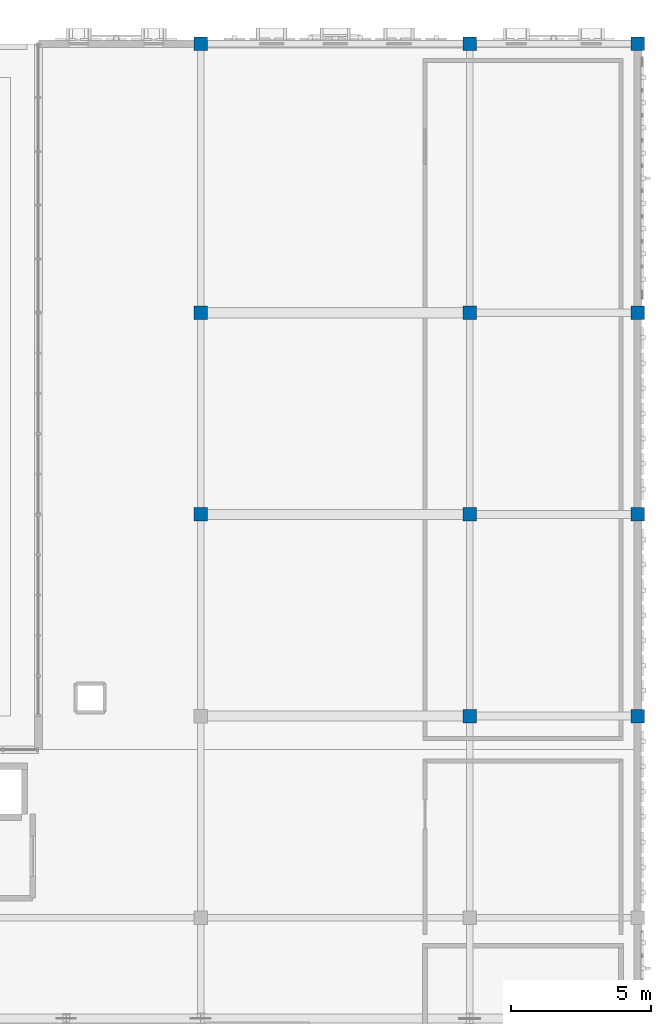
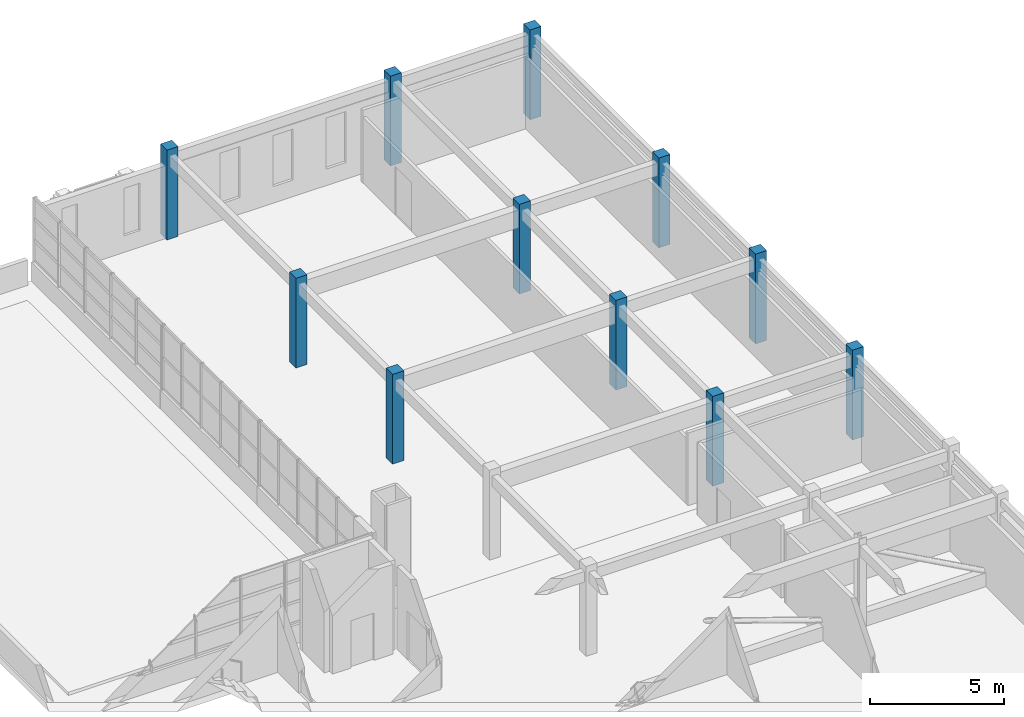
# One storey, part 6 of 79: 11 columns.
"""IFC4 building model written with IfcOpenShell, lengths in metres."""

from ifc_helpers import new_model, si_unit, direction, frame, origin, origin_2d, place, context, subcontext, project, spatial, rectangle, extrude, material, material_profile, profile_set, type_object, element, save


model = new_model("IFC4")

# Units and contexts
model_context = context("Model", 3, precision=1e-05, world=origin(), true_north=direction((0.0, 1.0)))
body_context = subcontext(model_context, "Body", "Model", "MODEL_VIEW")
ifc_project = project(units=[si_unit("LENGTHUNIT", "METRE"), si_unit("AREAUNIT", "SQUARE_METRE"), si_unit("VOLUMEUNIT", "CUBIC_METRE"), si_unit("PLANEANGLEUNIT", "RADIAN"), si_unit("MASSUNIT", "GRAM", prefix="KILO")], contexts=[model_context])

# Site, building, storey
site_placement = place(None, origin())
site = spatial("IfcSite", under=ifc_project, at=site_placement, CompositionType="ELEMENT")
building_placement = place(site_placement, origin())
building = spatial("IfcBuilding", under=site, at=building_placement, Name="Nzembalo Square Collegiate School", CompositionType="ELEMENT")
storey_placement = place(building_placement, frame((0.0, 0.0, 9.52001953125)))
storey = spatial("IfcBuildingStorey", under=building, at=storey_placement, Name="L02", CompositionType="ELEMENT", Elevation=9.52001953125)

# Columns
ifc_material = material(Name="Glulam GL28h", Category="wood")
ifc_material_profile = material_profile(ifc_material, rectangle(XDim=0.47998046875, YDim=0.47998046875, at=origin_2d()), Name="GL28h 480x480")
ifc_profile_set = profile_set([ifc_material_profile], Name="Glulam GL28h")
column_type = type_object("IfcColumnType", Name="C05", PredefinedType="COLUMN", material=ifc_profile_set)
for number, where, z_axis, x_axis, name in (
    (1, (150.0, 97.199951171875, 0.0), (0.0, 0.0, 1.0), (1.0, 0.0, 0.0), "Column C05 L02 22/O"),
    (2, (150.0, 104.39990234375, 0.0), (0.0, 0.0, 1.0), (1.0, 0.0, 0.0), "Column C05 L02 22/P"),
    (3, (150.0, 114.0, 0.0), (0.0, 0.0, 1.0), (1.0, 0.0, 0.0), "Column C05 L02 22/Q"),
    (4, (159.60009765625, 90.0, 0.0), (0.0, 0.0, 1.0), (1.0, 0.0, 0.0), "Column C05 L02 23/N"),
    (5, (159.60009765625, 97.199951171875, 0.0), (0.0, 0.0, 1.0), (1.0, 0.0, 0.0), "Column C05 L02 23/O"),
    (6, (159.60009765625, 104.39990234375, 0.0), (0.0, 0.0, 1.0), (1.0, 0.0, 0.0), "Column C05 L02 23/P"),
    (7, (159.60009765625, 114.0, 0.0), (0.0, 0.0, 1.0), (1.0, 0.0, 0.0), "Column C05 L02 23/Q"),
    (8, (165.60009765625, 90.0, 0.0), (0.0, 0.0, 1.0), (1.0, 0.0, 0.0), "Column C05 L02 24/N"),
    (9, (165.60009765625, 97.199951171875, 0.0), (0.0, 0.0, 1.0), (1.0, 0.0, 0.0), "Column C05 L02 24/O"),
    (10, (165.60009765625, 104.39990234375, 0.0), (0.0, 0.0, 1.0), (1.0, 0.0, 0.0), "Column C05 L02 24/P"),
    (11, (165.60009765625, 114.0, 0.0), (0.0, 0.0, 1.0), (1.0, 0.0, 0.0), "Column C05 L02 24/Q"),
):
    element("IfcColumn", number, at=place(storey_placement, frame(where, z_axis=z_axis, x_axis=x_axis)), inside=storey, type_object=column_type, Name=name, PredefinedType="COLUMN", context=body_context, shape_type="SweptSolid", body=[
        extrude(rectangle(XDim=0.47998046875, YDim=0.47998046875, at=origin_2d()), origin(), (0.0, 0.0, 1.0), 4.080078125),
    ])

save(model, "model.ifc")
